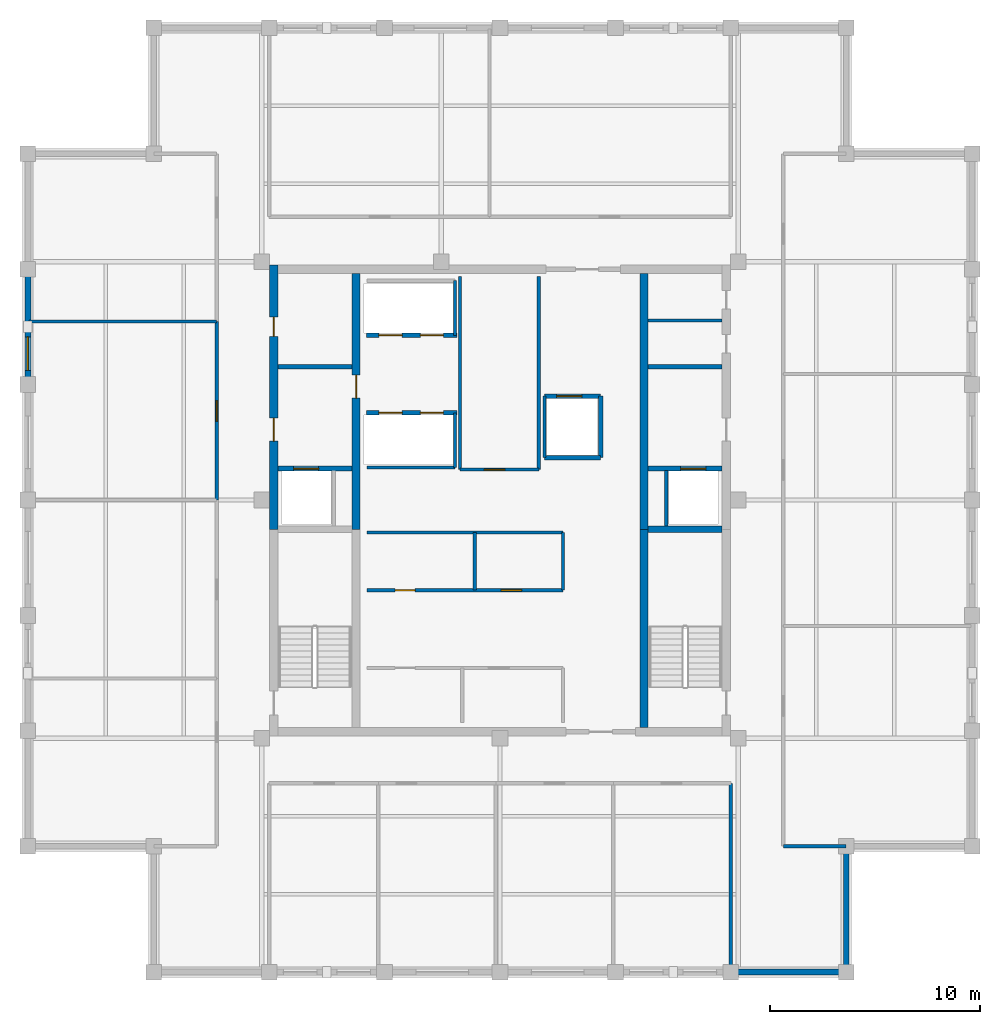
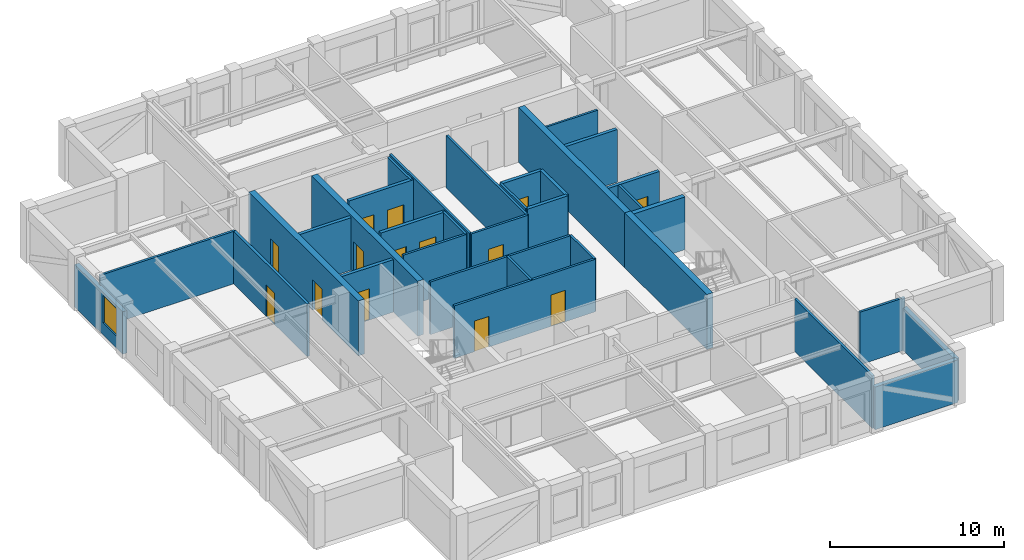
# One storey, part 3 of 6: 34 walls, 14 doors, 1 window, 15 openings.
"""IFC4 building model written with IfcOpenShell, lengths in metres."""

from ifc_helpers import new_model, si_unit, direction, frame, frame_2d, origin, place, context, subcontext, project, spatial, rectangle, extrude, material, layer, layer_set, type_object, element, fill, save


model = new_model("IFC4")

# Units and contexts
model_context = context("Model", 3, precision=1e-05, world=origin(), true_north=direction((0.0, 1.0)))
body_context = subcontext(model_context, "Body", "Model", "MODEL_VIEW")
ifc_project = project(units=[si_unit("LENGTHUNIT", "METRE"), si_unit("AREAUNIT", "SQUARE_METRE"), si_unit("VOLUMEUNIT", "CUBIC_METRE"), si_unit("PLANEANGLEUNIT", "RADIAN"), si_unit("MASSUNIT", "GRAM", prefix="KILO")], contexts=[model_context])

# Site, building, storey
site_placement = place(None, origin())
site = spatial("IfcSite", under=ifc_project, at=site_placement, CompositionType="ELEMENT")
building_placement = place(site_placement, origin())
building = spatial("IfcBuilding", under=site, at=building_placement, Name="Nhamokura Convention Tower", CompositionType="ELEMENT")
storey_placement = place(building_placement, frame((0.0, 0.0, 266.0)))
storey = spatial("IfcBuildingStorey", under=building, at=storey_placement, Name="L65", CompositionType="ELEMENT", Elevation=266.0)

# Walls
ifc_material_1 = material(Name="Moisture-resistant tile-backer partition", Category="masonry")
ifc_layer_1 = layer(ifc_material_1, 0.139892578125)
ifc_layer_set_1 = layer_set([ifc_layer_1], Name="BathroomWetWall_140")
wall_type_1 = type_object("IfcWallType", Name="BathroomWetWall_140", PredefinedType="STANDARD", material=ifc_layer_set_1)
wall_1_placement = place(storey_placement, frame((39.06005859375, 40.550048828125, 0.0), z_axis=(0.0, 0.0, 1.0), x_axis=(1.0, 0.0, 0.0)))
element("IfcWall", 1, at=wall_1_placement, inside=storey, type_object=wall_type_1, Name="L65 Wall INT-L65-CWNE", PredefinedType="STANDARD", context=body_context, shape_type="SweptSolid", body=[
    extrude(rectangle(XDim=3.530029296875, YDim=0.139892578125, at=frame_2d((1.76513671875, 0.0))), origin(), (0.0, 0.0, 1.0), 3.68505859375),
])
ifc_material_2 = material(Name="Bronze-pigmented precast concrete C45/55", Category="concrete")
ifc_layer_2 = layer(ifc_material_2, 0.280029296875)
ifc_layer_set_2 = layer_set([ifc_layer_2], Name="BronzePrecastSpandrel_280")
wall_type_2 = type_object("IfcWallType", Name="BronzePrecastSpandrel_280", PredefinedType="USERDEFINED", material=ifc_layer_set_2)
wall_2_placement = place(storey_placement, frame((48.5, 9.5, 0.0), z_axis=(0.0, 0.0, 1.0), x_axis=(-1.0, 0.0, 0.0)))
element("IfcWall", 2, at=wall_2_placement, inside=storey, type_object=wall_type_2, Name="L65 Braced-Bay Precast Wall SOUTH 5", ObjectType="SPANDREL_WALL", PredefinedType="USERDEFINED", context=body_context, shape_type="SweptSolid", body=[
    extrude(rectangle(XDim=5.5, YDim=0.280029296875, at=frame_2d((2.75, 0.0))), origin(), (0.0, 0.0, 1.0), 2.985107421875),
])

# Wall, opening, window
wall_3_placement = place(storey_placement, frame((9.5, 37.5, 0.0), z_axis=(0.0, 0.0, 1.0), x_axis=(0.0, 1.0, 0.0)))
wall_3 = element("IfcWall", 3, at=wall_3_placement, inside=storey, type_object=wall_type_2, Name="L65 Masonry-Frame Wall WEST 4", ObjectType="SPANDREL_WALL", PredefinedType="USERDEFINED", context=body_context, shape_type="SweptSolid", body=[
    extrude(rectangle(XDim=5.5, YDim=0.280029296875, at=frame_2d((2.75, 0.0))), origin(), (0.0, 0.0, 1.0), 2.985107421875),
])
opening_1_placement = place(wall_3_placement, frame((0.675048828125, 0.0, 0.85009765625)))
opening_1 = element("IfcOpeningElement", 4, at=opening_1_placement, cuts=wall_3, Name="Opening W-11", PredefinedType="OPENING", context=body_context, shape_type="SweptSolid", body=[
    extrude(rectangle(XDim=1.60009765625, YDim=1.93505859375, at=frame_2d((0.800048828125, 0.967529296875))), frame((0.0, 0.14990234375, 0.0), z_axis=(0.0, -1.0, 0.0), x_axis=(1.0, 0.0, 0.0)), (0.0, 0.0, 1.0), 0.300048828125),
])
ifc_material_3 = material(Name="Solar-control bronze low-E double glass", Category="glass")
window_type = type_object("IfcWindowType", Name="NotchCornerWindow_1600", PartitioningType="SINGLE_PANEL", PredefinedType="WINDOW", material=ifc_material_3)
window_placement = place(opening_1_placement, origin())
window = element("IfcWindow", 5, at=window_placement, inside=storey, type_object=window_type, Name="L65 Facade Window WEST 4-1", OverallHeight=1.93505859375, OverallWidth=1.60009765625, PartitioningType="SINGLE_PANEL", PredefinedType="WINDOW", context=body_context, shape_type="SweptSolid", body=[
    extrude(rectangle(XDim=1.60009765625, YDim=1.93505859375, at=frame_2d((0.800048828125, 0.967529296875))), frame((0.0, 0.030029296875, 0.0), z_axis=(0.0, -1.0, 0.0), x_axis=(1.0, 0.0, 0.0)), (0.0, 0.0, 1.0), 0.06005859375),
])
fill(opening_1, window)

# Wall
wall_4_placement = place(storey_placement, frame((48.5, 15.5, 0.0), z_axis=(0.0, 0.0, 1.0), x_axis=(0.0, -1.0, 0.0)))
element("IfcWall", 6, at=wall_4_placement, inside=storey, type_object=wall_type_2, Name="L65 Notched Corner Wall SE1", ObjectType="SPANDREL_WALL", PredefinedType="USERDEFINED", context=body_context, shape_type="SweptSolid", body=[
    extrude(rectangle(XDim=6.0, YDim=0.280029296875, at=frame_2d((3.0, 0.0))), origin(), (0.0, 0.0, 1.0), 2.985107421875),
])

# Wall, openings, doors
ifc_material_4 = material(Name="Concrete C50/60", Category="concrete")
ifc_layer_3 = layer(ifc_material_4, 0.39990234375)
ifc_layer_set_3 = layer_set([ifc_layer_3], Name="CoreShearWall_400")
wall_type_3 = type_object("IfcWallType", Name="CoreShearWall_400", PredefinedType="SHEAR", material=ifc_layer_set_3)
wall_5_placement = place(storey_placement, frame((21.2099609375, 30.60009765625, 0.0), z_axis=(0.0, 0.0, 1.0), x_axis=(0.0, 1.0, 0.0)))
wall_5 = element("IfcWall", 7, at=wall_5_placement, inside=storey, type_object=wall_type_3, Name="L65 Core Shear Wall CW-WN", PredefinedType="SHEAR", context=body_context, shape_type="SweptSolid", body=[
    extrude(rectangle(XDim=12.599853515625, YDim=0.39990234375, at=frame_2d((6.2998046875, 0.0))), origin(), (0.0, 0.0, 1.0), 3.85009765625),
])
opening_2_placement = place(wall_5_placement, frame((4.199951171875, 0.0, 0.0)))
opening_2 = element("IfcOpeningElement", 8, at=opening_2_placement, cuts=wall_5, Name="Opening D-05", PredefinedType="OPENING", context=body_context, shape_type="SweptSolid", body=[
    extrude(rectangle(XDim=1.10009765625, YDim=2.14990234375, at=frame_2d((0.550048828125, 1.074951171875))), frame((0.0, 0.2099609375, 0.0), z_axis=(0.0, -1.0, 0.0), x_axis=(1.0, 0.0, 0.0)), (0.0, 0.0, 1.0), 0.419921875),
])
opening_3_placement = place(wall_5_placement, frame((9.199951171875, 0.0, 0.0)))
opening_3 = element("IfcOpeningElement", 9, at=opening_3_placement, cuts=wall_5, Name="Opening D-10", PredefinedType="OPENING", context=body_context, shape_type="SweptSolid", body=[
    extrude(rectangle(XDim=0.919921875, YDim=2.10009765625, at=frame_2d((0.4599609375, 1.050048828125))), frame((0.0, 0.2099609375, 0.0), z_axis=(0.0, -1.0, 0.0), x_axis=(1.0, 0.0, 0.0)), (0.0, 0.0, 1.0), 0.419921875),
])
ifc_material_5 = material(Name="Solid oak hardwood", Category="wood")
door_type_1 = type_object("IfcDoorType", Name="AccessibleWCDoor_920", OperationType="NOTDEFINED", PredefinedType="DOOR", material=ifc_material_5)
door_1_placement = place(opening_3_placement, origin())
door_1 = element("IfcDoor", 10, at=door_1_placement, inside=storey, type_object=door_type_1, Name="L65 Core Door INT-L65-D-AWC", OperationType="SINGLE_SWING_LEFT", OverallHeight=2.10009765625, OverallWidth=0.919921875, PredefinedType="DOOR", context=body_context, shape_type="SweptSolid", body=[
    extrude(rectangle(XDim=0.919921875, YDim=2.10009765625, at=frame_2d((0.4599609375, 1.050048828125))), frame((0.0, 0.02490234375, 0.0), z_axis=(0.0, -1.0, 0.0), x_axis=(1.0, 0.0, 0.0)), (0.0, 0.0, 1.0), 0.050048828125),
])
fill(opening_3, door_1)
ifc_material_6 = material(Name="Fire-rated steel door", Category="steel")
door_type_2 = type_object("IfcDoorType", Name="FireLobbyDoor_1100", OperationType="NOTDEFINED", PredefinedType="DOOR", material=ifc_material_6)
door_2_placement = place(opening_2_placement, origin())
door_2 = element("IfcDoor", 11, at=door_2_placement, inside=storey, type_object=door_type_2, Name="L65 Core Door INT-L65-D-FFLW", OperationType="SINGLE_SWING_RIGHT", OverallHeight=2.14990234375, OverallWidth=1.10009765625, PredefinedType="DOOR", context=body_context, shape_type="SweptSolid", body=[
    extrude(rectangle(XDim=1.10009765625, YDim=2.14990234375, at=frame_2d((0.550048828125, 1.074951171875))), frame((0.0, 0.02490234375, 0.0), z_axis=(0.0, -1.0, 0.0), x_axis=(1.0, 0.0, 0.0)), (0.0, 0.0, 1.0), 0.050048828125),
])
fill(opening_2, door_2)

# Wall, opening, door
wall_6_placement = place(storey_placement, frame((25.139892578125, 30.60009765625, 0.0), z_axis=(0.0, 0.0, 1.0), x_axis=(0.0, 1.0, 0.0)))
wall_6 = element("IfcWall", 12, at=wall_6_placement, inside=storey, type_object=wall_type_3, Name="L65 Core Shear Wall CW-IWN", PredefinedType="SHEAR", context=body_context, shape_type="SweptSolid", body=[
    extrude(rectangle(XDim=12.199951171875, YDim=0.39990234375, at=frame_2d((6.10009765625, 0.0))), origin(), (0.0, 0.0, 1.0), 3.85009765625),
])
opening_4_placement = place(wall_6_placement, frame((6.25, 0.0, 0.0)))
opening_4 = element("IfcOpeningElement", 13, at=opening_4_placement, cuts=wall_6, Name="Opening D-05", PredefinedType="OPENING", context=body_context, shape_type="SweptSolid", body=[
    extrude(rectangle(XDim=1.10009765625, YDim=2.14990234375, at=frame_2d((0.550048828125, 1.074951171875))), frame((0.0, 0.2099609375, 0.0), z_axis=(0.0, -1.0, 0.0), x_axis=(1.0, 0.0, 0.0)), (0.0, 0.0, 1.0), 0.419921875),
])
door_3_placement = place(opening_4_placement, origin())
door_3 = element("IfcDoor", 14, at=door_3_placement, inside=storey, type_object=door_type_2, Name="L65 Core Door INT-L65-D-B3LOB", OperationType="SINGLE_SWING_LEFT", OverallHeight=2.14990234375, OverallWidth=1.10009765625, PredefinedType="DOOR", context=body_context, shape_type="SweptSolid", body=[
    extrude(rectangle(XDim=1.10009765625, YDim=2.14990234375, at=frame_2d((0.550048828125, 1.074951171875))), frame((0.0, 0.02490234375, 0.0), z_axis=(0.0, -1.0, 0.0), x_axis=(1.0, 0.0, 0.0)), (0.0, 0.0, 1.0), 0.050048828125),
])
fill(opening_4, door_3)

# Walls
wall_7_placement = place(storey_placement, frame((38.860107421875, 21.14990234375, 0.0), z_axis=(0.0, 0.0, 1.0), x_axis=(0.0, 1.0, 0.0)))
element("IfcWall", 15, at=wall_7_placement, inside=storey, type_object=wall_type_3, Name="L65 Core Shear Wall CW-IES", PredefinedType="SHEAR", context=body_context, shape_type="SweptSolid", body=[
    extrude(rectangle(XDim=9.4501953125, YDim=0.39990234375, at=frame_2d((4.72509765625, 0.0))), origin(), (0.0, 0.0, 1.0), 3.85009765625),
])
wall_8_placement = place(storey_placement, frame((38.860107421875, 30.60009765625, 0.0), z_axis=(0.0, 0.0, 1.0), x_axis=(0.0, 1.0, 0.0)))
element("IfcWall", 16, at=wall_8_placement, inside=storey, type_object=wall_type_3, Name="L65 Core Shear Wall CW-IEN", PredefinedType="SHEAR", context=body_context, shape_type="SweptSolid", body=[
    extrude(rectangle(XDim=12.199951171875, YDim=0.39990234375, at=frame_2d((6.10009765625, 0.0))), origin(), (0.0, 0.0, 1.0), 3.85009765625),
])

# Wall, opening, door
ifc_material_7 = material(Name="Fire-rated gypsum and masonry partition", Category="masonry")
ifc_layer_4 = layer(ifc_material_7, 0.179931640625)
ifc_layer_set_4 = layer_set([ifc_layer_4], Name="CorridorRatedWall_180")
wall_type_4 = type_object("IfcWallType", Name="CorridorRatedWall_180", PredefinedType="STANDARD", material=ifc_layer_set_4)
wall_9_placement = place(storey_placement, frame((18.5, 32.0, 0.0), z_axis=(0.0, 0.0, 1.0), x_axis=(0.0, 1.0, 0.0)))
wall_9 = element("IfcWall", 17, at=wall_9_placement, inside=storey, type_object=wall_type_4, Name="L65 Wall INT-L65-CW-W02", PredefinedType="STANDARD", context=body_context, shape_type="SweptSolid", body=[
    extrude(rectangle(XDim=8.5, YDim=0.179931640625, at=frame_2d((4.25, 0.0))), origin(), (0.0, 0.0, 1.0), 3.68505859375),
])
opening_5_placement = place(wall_9_placement, frame((3.75, 0.0, 0.0)))
opening_5 = element("IfcOpeningElement", 18, at=opening_5_placement, cuts=wall_9, Name="Opening D-08", PredefinedType="OPENING", context=body_context, shape_type="SweptSolid", body=[
    extrude(rectangle(XDim=0.97998046875, YDim=2.199951171875, at=frame_2d((0.489990234375, 1.10009765625))), frame((0.0, 0.099853515625, 0.0), z_axis=(0.0, -1.0, 0.0), x_axis=(1.0, 0.0, 0.0)), (0.0, 0.0, 1.0), 0.199951171875),
])
ifc_material_8 = material(Name="Solid oak hardwood", Category="wood")
door_type_3 = type_object("IfcDoorType", Name="OfficeEntryDoor_980", OperationType="NOTDEFINED", PredefinedType="DOOR", material=ifc_material_8)
door_4_placement = place(opening_5_placement, origin())
door_4 = element("IfcDoor", 19, at=door_4_placement, inside=storey, type_object=door_type_3, Name="L65 Boardroom W03 Door", OperationType="SINGLE_SWING_LEFT", OverallHeight=2.199951171875, OverallWidth=0.97998046875, PredefinedType="DOOR", context=body_context, shape_type="SweptSolid", body=[
    extrude(rectangle(XDim=0.97998046875, YDim=2.199951171875, at=frame_2d((0.489990234375, 1.10009765625))), frame((0.0, 0.02490234375, 0.0), z_axis=(0.0, -1.0, 0.0), x_axis=(1.0, 0.0, 0.0)), (0.0, 0.0, 1.0), 0.050048828125),
])
fill(opening_5, door_4)

ifc_material_9 = material(Name="Autoclaved concrete blockwork", Category="masonry")
ifc_layer_5 = layer(ifc_material_9, 0.219970703125)
ifc_layer_set_5 = layer_set([ifc_layer_5], Name="FireLobbyWall_220")
wall_type_5 = type_object("IfcWallType", Name="FireLobbyWall_220", PredefinedType="STANDARD", material=ifc_layer_set_5)
wall_10_placement = place(storey_placement, frame((21.409912109375, 33.5, 0.0), z_axis=(0.0, 0.0, 1.0), x_axis=(1.0, 0.0, 0.0)))
wall_10 = element("IfcWall", 20, at=wall_10_placement, inside=storey, type_object=wall_type_5, Name="L65 Wall INT-L65-FFW-S", PredefinedType="STANDARD", context=body_context, shape_type="SweptSolid", body=[
    extrude(rectangle(XDim=3.530029296875, YDim=0.219970703125, at=frame_2d((1.76513671875, 0.0))), origin(), (0.0, 0.0, 1.0), 3.68505859375),
])
opening_6_placement = place(wall_10_placement, frame((0.75, 0.0, 0.0)))
opening_6 = element("IfcOpeningElement", 21, at=opening_6_placement, cuts=wall_10, Name="Opening LD-02", PredefinedType="OPENING", context=body_context, shape_type="SweptSolid", body=[
    extrude(rectangle(XDim=1.199951171875, YDim=2.199951171875, at=frame_2d((0.60009765625, 1.10009765625))), frame((0.0, 0.119873046875, 0.0), z_axis=(0.0, -1.0, 0.0), x_axis=(1.0, 0.0, 0.0)), (0.0, 0.0, 1.0), 0.239990234375),
])
ifc_material_10 = material(Name="Anodised bronze stainless steel", Category="steel")
door_type_4 = type_object("IfcDoorType", Name="LiftLandingDoor_FireService", OperationType="DOUBLE_DOOR_SLIDING", PredefinedType="DOOR", material=ifc_material_10)
door_5_placement = place(opening_6_placement, origin())
door_5 = element("IfcDoor", 22, at=door_5_placement, inside=storey, type_object=door_type_4, Name="L65 Firefighting Lift LF-01 Door", OperationType="DOUBLE_DOOR_SLIDING", OverallHeight=2.199951171875, OverallWidth=1.199951171875, PredefinedType="DOOR", context=body_context, shape_type="SweptSolid", body=[
    extrude(rectangle(XDim=1.199951171875, YDim=2.199951171875, at=frame_2d((0.60009765625, 1.10009765625))), frame((0.0, 0.02490234375, 0.0), z_axis=(0.0, -1.0, 0.0), x_axis=(1.0, 0.0, 0.0)), (0.0, 0.0, 1.0), 0.050048828125),
])
fill(opening_6, door_5)

wall_11_placement = place(storey_placement, frame((39.06005859375, 33.5, 0.0), z_axis=(0.0, 0.0, 1.0), x_axis=(1.0, 0.0, 0.0)))
wall_11 = element("IfcWall", 23, at=wall_11_placement, inside=storey, type_object=wall_type_5, Name="L65 Wall INT-L65-FFE-S", PredefinedType="STANDARD", context=body_context, shape_type="SweptSolid", body=[
    extrude(rectangle(XDim=3.530029296875, YDim=0.219970703125, at=frame_2d((1.76513671875, 0.0))), origin(), (0.0, 0.0, 1.0), 3.68505859375),
])
opening_7_placement = place(wall_11_placement, frame((1.550048828125, 0.0, 0.0)))
opening_7 = element("IfcOpeningElement", 24, at=opening_7_placement, cuts=wall_11, Name="Opening LD-02", PredefinedType="OPENING", context=body_context, shape_type="SweptSolid", body=[
    extrude(rectangle(XDim=1.199951171875, YDim=2.199951171875, at=frame_2d((0.60009765625, 1.10009765625))), frame((0.0, 0.119873046875, 0.0), z_axis=(0.0, -1.0, 0.0), x_axis=(1.0, 0.0, 0.0)), (0.0, 0.0, 1.0), 0.239990234375),
])
door_6_placement = place(opening_7_placement, origin())
door_6 = element("IfcDoor", 25, at=door_6_placement, inside=storey, type_object=door_type_4, Name="L65 Firefighting Lift LF-02 Door", OperationType="DOUBLE_DOOR_SLIDING", OverallHeight=2.199951171875, OverallWidth=1.199951171875, PredefinedType="DOOR", context=body_context, shape_type="SweptSolid", body=[
    extrude(rectangle(XDim=1.199951171875, YDim=2.199951171875, at=frame_2d((0.60009765625, 1.10009765625))), frame((0.0, 0.02490234375, 0.0), z_axis=(0.0, -1.0, 0.0), x_axis=(1.0, 0.0, 0.0)), (0.0, 0.0, 1.0), 0.050048828125),
])
fill(opening_7, door_6)

# Walls
for number, where, z_axis, x_axis, name in (
    (26, (21.409912109375, 38.35009765625, 0.0), (0.0, 0.0, 1.0), (1.0, 0.0, 0.0), "L65 Wall INT-L65-FFW-N"),
    (27, (39.06005859375, 38.35009765625, 0.0), (0.0, 0.0, 1.0), (1.0, 0.0, 0.0), "L65 Wall INT-L65-FFE-N"),
):
    element("IfcWall", number, at=place(storey_placement, frame(where, z_axis=z_axis, x_axis=x_axis)), inside=storey, type_object=wall_type_5, Name=name, PredefinedType="STANDARD", context=body_context, shape_type="SweptSolid", body=[
        extrude(rectangle(XDim=3.530029296875, YDim=0.219970703125, at=frame_2d((1.76513671875, 0.0))), origin(), (0.0, 0.0, 1.0), 3.68505859375),
    ])

# Wall, openings, doors
wall_12_placement = place(storey_placement, frame((25.64990234375, 36.14990234375, 0.0), z_axis=(0.0, 0.0, 1.0), x_axis=(1.0, 0.0, 0.0)))
wall_12 = element("IfcWall", 28, at=wall_12_placement, inside=storey, type_object=wall_type_5, Name="L65 Wall INT-L65-B3S", PredefinedType="STANDARD", context=body_context, shape_type="SweptSolid", body=[
    extrude(rectangle(XDim=4.300048828125, YDim=0.219970703125, at=frame_2d((2.14990234375, 0.0))), origin(), (0.0, 0.0, 1.0), 3.68505859375),
])
opening_8_placement = place(wall_12_placement, frame((0.580078125, 0.0, 0.0)))
opening_8 = element("IfcOpeningElement", 29, at=opening_8_placement, cuts=wall_12, Name="Opening LD-01", PredefinedType="OPENING", context=body_context, shape_type="SweptSolid", body=[
    extrude(rectangle(XDim=1.10009765625, YDim=2.14990234375, at=frame_2d((0.550048828125, 1.074951171875))), frame((0.0, 0.119873046875, 0.0), z_axis=(0.0, -1.0, 0.0), x_axis=(1.0, 0.0, 0.0)), (0.0, 0.0, 1.0), 0.239990234375),
])
opening_9_placement = place(wall_12_placement, frame((2.550048828125, 0.0, 0.0)))
opening_9 = element("IfcOpeningElement", 30, at=opening_9_placement, cuts=wall_12, Name="Opening LD-01", PredefinedType="OPENING", context=body_context, shape_type="SweptSolid", body=[
    extrude(rectangle(XDim=1.10009765625, YDim=2.14990234375, at=frame_2d((0.550048828125, 1.074951171875))), frame((0.0, 0.119873046875, 0.0), z_axis=(0.0, -1.0, 0.0), x_axis=(1.0, 0.0, 0.0)), (0.0, 0.0, 1.0), 0.239990234375),
])
ifc_material_11 = material(Name="Anodised bronze stainless steel", Category="steel")
door_type_5 = type_object("IfcDoorType", Name="LiftLandingDoor_Passenger", OperationType="DOUBLE_DOOR_SLIDING", PredefinedType="DOOR", material=ifc_material_11)
door_7_placement = place(opening_8_placement, origin())
door_7 = element("IfcDoor", 31, at=door_7_placement, inside=storey, type_object=door_type_5, Name="L65 Lift LP-09 Door", OperationType="DOUBLE_DOOR_SLIDING", OverallHeight=2.14990234375, OverallWidth=1.10009765625, PredefinedType="DOOR", context=body_context, shape_type="SweptSolid", body=[
    extrude(rectangle(XDim=1.10009765625, YDim=2.14990234375, at=frame_2d((0.550048828125, 1.074951171875))), frame((0.0, 0.02490234375, 0.0), z_axis=(0.0, -1.0, 0.0), x_axis=(1.0, 0.0, 0.0)), (0.0, 0.0, 1.0), 0.050048828125),
])
fill(opening_8, door_7)
door_8_placement = place(opening_9_placement, origin())
door_8 = element("IfcDoor", 32, at=door_8_placement, inside=storey, type_object=door_type_5, Name="L65 Lift LP-10 Door", OperationType="DOUBLE_DOOR_SLIDING", OverallHeight=2.14990234375, OverallWidth=1.10009765625, PredefinedType="DOOR", context=body_context, shape_type="SweptSolid", body=[
    extrude(rectangle(XDim=1.10009765625, YDim=2.14990234375, at=frame_2d((0.550048828125, 1.074951171875))), frame((0.0, 0.02490234375, 0.0), z_axis=(0.0, -1.0, 0.0), x_axis=(1.0, 0.0, 0.0)), (0.0, 0.0, 1.0), 0.050048828125),
])
fill(opening_9, door_8)

wall_13_placement = place(storey_placement, frame((25.64990234375, 39.85009765625, 0.0), z_axis=(0.0, 0.0, 1.0), x_axis=(1.0, 0.0, 0.0)))
wall_13 = element("IfcWall", 33, at=wall_13_placement, inside=storey, type_object=wall_type_5, Name="L65 Wall INT-L65-B3N", PredefinedType="STANDARD", context=body_context, shape_type="SweptSolid", body=[
    extrude(rectangle(XDim=4.300048828125, YDim=0.219970703125, at=frame_2d((2.14990234375, 0.0))), origin(), (0.0, 0.0, 1.0), 3.68505859375),
])
opening_10_placement = place(wall_13_placement, frame((0.580078125, 0.0, 0.0)))
opening_10 = element("IfcOpeningElement", 34, at=opening_10_placement, cuts=wall_13, Name="Opening LD-01", PredefinedType="OPENING", context=body_context, shape_type="SweptSolid", body=[
    extrude(rectangle(XDim=1.10009765625, YDim=2.14990234375, at=frame_2d((0.550048828125, 1.074951171875))), frame((0.0, 0.119873046875, 0.0), z_axis=(0.0, -1.0, 0.0), x_axis=(1.0, 0.0, 0.0)), (0.0, 0.0, 1.0), 0.239990234375),
])
opening_11_placement = place(wall_13_placement, frame((2.550048828125, 0.0, 0.0)))
opening_11 = element("IfcOpeningElement", 35, at=opening_11_placement, cuts=wall_13, Name="Opening LD-01", PredefinedType="OPENING", context=body_context, shape_type="SweptSolid", body=[
    extrude(rectangle(XDim=1.10009765625, YDim=2.14990234375, at=frame_2d((0.550048828125, 1.074951171875))), frame((0.0, 0.119873046875, 0.0), z_axis=(0.0, -1.0, 0.0), x_axis=(1.0, 0.0, 0.0)), (0.0, 0.0, 1.0), 0.239990234375),
])
door_9_placement = place(opening_10_placement, origin())
door_9 = element("IfcDoor", 36, at=door_9_placement, inside=storey, type_object=door_type_5, Name="L65 Lift LP-11 Door", OperationType="DOUBLE_DOOR_SLIDING", OverallHeight=2.14990234375, OverallWidth=1.10009765625, PredefinedType="DOOR", context=body_context, shape_type="SweptSolid", body=[
    extrude(rectangle(XDim=1.10009765625, YDim=2.14990234375, at=frame_2d((0.550048828125, 1.074951171875))), frame((0.0, 0.02490234375, 0.0), z_axis=(0.0, -1.0, 0.0), x_axis=(1.0, 0.0, 0.0)), (0.0, 0.0, 1.0), 0.050048828125),
])
fill(opening_10, door_9)
door_10_placement = place(opening_11_placement, origin())
door_10 = element("IfcDoor", 37, at=door_10_placement, inside=storey, type_object=door_type_5, Name="L65 Lift LP-12 Door", OperationType="DOUBLE_DOOR_SLIDING", OverallHeight=2.14990234375, OverallWidth=1.10009765625, PredefinedType="DOOR", context=body_context, shape_type="SweptSolid", body=[
    extrude(rectangle(XDim=1.10009765625, YDim=2.14990234375, at=frame_2d((0.550048828125, 1.074951171875))), frame((0.0, 0.02490234375, 0.0), z_axis=(0.0, -1.0, 0.0), x_axis=(1.0, 0.0, 0.0)), (0.0, 0.0, 1.0), 0.050048828125),
])
fill(opening_11, door_10)

# Wall, opening, door
wall_14_placement = place(storey_placement, frame((34.1201171875, 36.949951171875, 0.0), z_axis=(0.0, 0.0, 1.0), x_axis=(1.0, 0.0, 0.0)))
wall_14 = element("IfcWall", 38, at=wall_14_placement, inside=storey, type_object=wall_type_5, Name="L65 Wall INT-L65-LSN", PredefinedType="STANDARD", context=body_context, shape_type="SweptSolid", body=[
    extrude(rectangle(XDim=2.679931640625, YDim=0.219970703125, at=frame_2d((1.33984375, 0.0))), origin(), (0.0, 0.0, 1.0), 3.68505859375),
])
opening_12_placement = place(wall_14_placement, frame((0.580078125, 0.0, 0.0)))
opening_12 = element("IfcOpeningElement", 39, at=opening_12_placement, cuts=wall_14, Name="Opening LD-02", PredefinedType="OPENING", context=body_context, shape_type="SweptSolid", body=[
    extrude(rectangle(XDim=1.199951171875, YDim=2.199951171875, at=frame_2d((0.60009765625, 1.10009765625))), frame((0.0, 0.119873046875, 0.0), z_axis=(0.0, -1.0, 0.0), x_axis=(1.0, 0.0, 0.0)), (0.0, 0.0, 1.0), 0.239990234375),
])
door_11_placement = place(opening_12_placement, origin())
door_11 = element("IfcDoor", 40, at=door_11_placement, inside=storey, type_object=door_type_4, Name="L65 Service Lift LS-01 Door", OperationType="DOUBLE_DOOR_SLIDING", OverallHeight=2.199951171875, OverallWidth=1.199951171875, PredefinedType="DOOR", context=body_context, shape_type="SweptSolid", body=[
    extrude(rectangle(XDim=1.199951171875, YDim=2.199951171875, at=frame_2d((0.60009765625, 1.10009765625))), frame((0.0, 0.02490234375, 0.0), z_axis=(0.0, -1.0, 0.0), x_axis=(1.0, 0.0, 0.0)), (0.0, 0.0, 1.0), 0.050048828125),
])
fill(opening_12, door_11)

# Walls
wall_15_placement = place(storey_placement, frame((36.800048828125, 34.02001953125, 0.0), z_axis=(0.0, 0.0, 1.0), x_axis=(0.0, 1.0, 0.0)))
element("IfcWall", 41, at=wall_15_placement, inside=storey, type_object=wall_type_5, Name="L65 Wall INT-L65-LSE", PredefinedType="STANDARD", context=body_context, shape_type="SweptSolid", body=[
    extrude(rectangle(XDim=2.929931640625, YDim=0.219970703125, at=frame_2d((1.46484375, 0.0))), origin(), (0.0, 0.0, 1.0), 3.68505859375),
])
wall_16_placement = place(storey_placement, frame((34.1201171875, 34.02001953125, 0.0), z_axis=(0.0, 0.0, 1.0), x_axis=(1.0, 0.0, 0.0)))
element("IfcWall", 42, at=wall_16_placement, inside=storey, type_object=wall_type_5, Name="L65 Wall INT-L65-LSS", PredefinedType="STANDARD", context=body_context, shape_type="SweptSolid", body=[
    extrude(rectangle(XDim=2.679931640625, YDim=0.219970703125, at=frame_2d((1.33984375, 0.0))), origin(), (0.0, 0.0, 1.0), 3.68505859375),
])
ifc_material_12 = material(Name="Acoustic gypsum stud partition", Category="masonry")
ifc_layer_6 = layer(ifc_material_12, 0.14990234375)
ifc_layer_set_6 = layer_set([ifc_layer_6], Name="InteriorPartition_150")
wall_type_6 = type_object("IfcWallType", Name="InteriorPartition_150", PredefinedType="STANDARD", material=ifc_layer_set_6)
wall_17_placement = place(storey_placement, frame((39.919921875, 30.75, 0.0), z_axis=(0.0, 0.0, 1.0), x_axis=(0.0, 1.0, 0.0)))
element("IfcWall", 43, at=wall_17_placement, inside=storey, type_object=wall_type_6, Name="L65 Wall INT-L65-FF2-W", PredefinedType="STANDARD", context=body_context, shape_type="SweptSolid", body=[
    extrude(rectangle(XDim=2.64990234375, YDim=0.14990234375, at=frame_2d((1.324951171875, 0.0))), origin(), (0.0, 0.0, 1.0), 3.68505859375),
])

# Wall, openings, doors
wall_18_placement = place(storey_placement, frame((25.64990234375, 27.699951171875, 0.0), z_axis=(0.0, 0.0, 1.0), x_axis=(1.0, 0.0, 0.0)))
wall_18 = element("IfcWall", 44, at=wall_18_placement, inside=storey, type_object=wall_type_6, Name="L65 Wall INT-L65-B2R-S", PredefinedType="STANDARD", context=body_context, shape_type="SweptSolid", body=[
    extrude(rectangle(XDim=9.35009765625, YDim=0.14990234375, at=frame_2d((4.675048828125, 0.0))), origin(), (0.0, 0.0, 1.0), 3.68505859375),
])
opening_13_placement = place(wall_18_placement, frame((1.35009765625, 0.0, 0.0)))
opening_13 = element("IfcOpeningElement", 45, at=opening_13_placement, cuts=wall_18, Name="Opening D-09", PredefinedType="OPENING", context=body_context, shape_type="SweptSolid", body=[
    extrude(rectangle(XDim=0.949951171875, YDim=2.14990234375, at=frame_2d((0.47509765625, 1.074951171875))), frame((0.0, 0.0849609375, 0.0), z_axis=(0.0, -1.0, 0.0), x_axis=(1.0, 0.0, 0.0)), (0.0, 0.0, 1.0), 0.169921875),
])
opening_14_placement = place(wall_18_placement, frame((6.39990234375, 0.0, 0.0)))
opening_14 = element("IfcOpeningElement", 46, at=opening_14_placement, cuts=wall_18, Name="Opening D-08", PredefinedType="OPENING", context=body_context, shape_type="SweptSolid", body=[
    extrude(rectangle(XDim=0.97998046875, YDim=2.199951171875, at=frame_2d((0.489990234375, 1.10009765625))), frame((0.0, 0.0849609375, 0.0), z_axis=(0.0, -1.0, 0.0), x_axis=(1.0, 0.0, 0.0)), (0.0, 0.0, 1.0), 0.169921875),
])
ifc_material_13 = material(Name="Solid oak hardwood", Category="wood")
door_type_6 = type_object("IfcDoorType", Name="MeetingRoomDoor_950", OperationType="NOTDEFINED", PredefinedType="DOOR", material=ifc_material_13)
door_12_placement = place(opening_13_placement, origin())
door_12 = element("IfcDoor", 47, at=door_12_placement, inside=storey, type_object=door_type_6, Name="L65 Caucus Suite Door", OperationType="SINGLE_SWING_RIGHT", OverallHeight=2.14990234375, OverallWidth=0.949951171875, PredefinedType="DOOR", context=body_context, shape_type="SweptSolid", body=[
    extrude(rectangle(XDim=0.949951171875, YDim=2.14990234375, at=frame_2d((0.47509765625, 1.074951171875))), frame((0.0, 0.02490234375, 0.0), z_axis=(0.0, -1.0, 0.0), x_axis=(1.0, 0.0, 0.0)), (0.0, 0.0, 1.0), 0.050048828125),
])
fill(opening_13, door_12)
door_13_placement = place(opening_14_placement, origin())
door_13 = element("IfcDoor", 48, at=door_13_placement, inside=storey, type_object=door_type_3, Name="L65 Summit Pantry Door", OperationType="SINGLE_SWING_LEFT", OverallHeight=2.199951171875, OverallWidth=0.97998046875, PredefinedType="DOOR", context=body_context, shape_type="SweptSolid", body=[
    extrude(rectangle(XDim=0.97998046875, YDim=2.199951171875, at=frame_2d((0.489990234375, 1.10009765625))), frame((0.0, 0.02490234375, 0.0), z_axis=(0.0, -1.0, 0.0), x_axis=(1.0, 0.0, 0.0)), (0.0, 0.0, 1.0), 0.050048828125),
])
fill(opening_14, door_13)

# Walls
wall_19_placement = place(storey_placement, frame((25.64990234375, 30.449951171875, 0.0), z_axis=(0.0, 0.0, 1.0), x_axis=(1.0, 0.0, 0.0)))
element("IfcWall", 49, at=wall_19_placement, inside=storey, type_object=wall_type_6, Name="L65 Wall INT-L65-B2R-N", PredefinedType="STANDARD", context=body_context, shape_type="SweptSolid", body=[
    extrude(rectangle(XDim=9.35009765625, YDim=0.14990234375, at=frame_2d((4.675048828125, 0.0))), origin(), (0.0, 0.0, 1.0), 3.68505859375),
])
for number, where, z_axis, x_axis, name in (
    (50, (30.800048828125, 27.699951171875, 0.0), (0.0, 0.0, 1.0), (0.0, 1.0, 0.0), "L65 Wall INT-L65-B2R-M"),
    (51, (35.0, 27.699951171875, 0.0), (0.0, 0.0, 1.0), (0.0, 1.0, 0.0), "L65 Wall INT-L65-B2R-E"),
):
    element("IfcWall", number, at=place(storey_placement, frame(where, z_axis=z_axis, x_axis=x_axis)), inside=storey, type_object=wall_type_6, Name=name, PredefinedType="STANDARD", context=body_context, shape_type="SweptSolid", body=[
        extrude(rectangle(XDim=2.75, YDim=0.14990234375, at=frame_2d((1.375, 0.0))), origin(), (0.0, 0.0, 1.0), 3.68505859375),
    ])
wall_20_placement = place(storey_placement, frame((25.64990234375, 33.550048828125, 0.0), z_axis=(0.0, 0.0, 1.0), x_axis=(1.0, 0.0, 0.0)))
element("IfcWall", 52, at=wall_20_placement, inside=storey, type_object=wall_type_6, Name="L65 Wall INT-L65-B3A-S", PredefinedType="STANDARD", context=body_context, shape_type="SweptSolid", body=[
    extrude(rectangle(XDim=4.2001953125, YDim=0.14990234375, at=frame_2d((2.10009765625, 0.0))), origin(), (0.0, 0.0, 1.0), 3.68505859375),
])
for number, where, z_axis, x_axis, name in (
    (53, (29.85009765625, 33.550048828125, 0.0), (0.0, 0.0, 1.0), (0.0, 1.0, 0.0), "L65 Wall INT-L65-B3A-E"),
    (54, (29.85009765625, 39.85009765625, 0.0), (0.0, 0.0, 1.0), (0.0, 1.0, 0.0), "L65 Wall INT-L65-B3B-E"),
):
    element("IfcWall", number, at=place(storey_placement, frame(where, z_axis=z_axis, x_axis=x_axis)), inside=storey, type_object=wall_type_6, Name=name, PredefinedType="STANDARD", context=body_context, shape_type="SweptSolid", body=[
        extrude(rectangle(XDim=2.599853515625, YDim=0.14990234375, at=frame_2d((1.2998046875, 0.0))), origin(), (0.0, 0.0, 1.0), 3.68505859375),
    ])
for number, where, z_axis, x_axis, name in (
    (55, (30.10009765625, 33.449951171875, 0.0), (0.0, 0.0, 1.0), (0.0, 1.0, 0.0), "L65 Wall INT-L65-ST03W"),
    (56, (33.85009765625, 33.449951171875, 0.0), (0.0, 0.0, 1.0), (0.0, 1.0, 0.0), "L65 Wall INT-L65-ST03E"),
):
    element("IfcWall", number, at=place(storey_placement, frame(where, z_axis=z_axis, x_axis=x_axis)), inside=storey, type_object=wall_type_6, Name=name, PredefinedType="STANDARD", context=body_context, shape_type="SweptSolid", body=[
        extrude(rectangle(XDim=9.199951171875, YDim=0.14990234375, at=frame_2d((4.60009765625, 0.0))), origin(), (0.0, 0.0, 1.0), 3.68505859375),
    ])

# Wall, opening, door
wall_21_placement = place(storey_placement, frame((30.10009765625, 33.449951171875, 0.0), z_axis=(0.0, 0.0, 1.0), x_axis=(1.0, 0.0, 0.0)))
wall_21 = element("IfcWall", 57, at=wall_21_placement, inside=storey, type_object=wall_type_6, Name="L65 Wall INT-L65-ST03S", PredefinedType="STANDARD", context=body_context, shape_type="SweptSolid", body=[
    extrude(rectangle(XDim=3.75, YDim=0.14990234375, at=frame_2d((1.875, 0.0))), origin(), (0.0, 0.0, 1.0), 3.68505859375),
])
opening_15_placement = place(wall_21_placement, frame((1.14990234375, 0.0, 0.0)))
opening_15 = element("IfcOpeningElement", 58, at=opening_15_placement, cuts=wall_21, Name="Opening D-08", PredefinedType="OPENING", context=body_context, shape_type="SweptSolid", body=[
    extrude(rectangle(XDim=0.97998046875, YDim=2.199951171875, at=frame_2d((0.489990234375, 1.10009765625))), frame((0.0, 0.0849609375, 0.0), z_axis=(0.0, -1.0, 0.0), x_axis=(1.0, 0.0, 0.0)), (0.0, 0.0, 1.0), 0.169921875),
])
door_14_placement = place(opening_15_placement, origin())
door_14 = element("IfcDoor", 59, at=door_14_placement, inside=storey, type_object=door_type_3, Name="L65 Wellness and Records Room Door", OperationType="SINGLE_SWING_RIGHT", OverallHeight=2.199951171875, OverallWidth=0.97998046875, PredefinedType="DOOR", context=body_context, shape_type="SweptSolid", body=[
    extrude(rectangle(XDim=0.97998046875, YDim=2.199951171875, at=frame_2d((0.489990234375, 1.10009765625))), frame((0.0, 0.02490234375, 0.0), z_axis=(0.0, -1.0, 0.0), x_axis=(1.0, 0.0, 0.0)), (0.0, 0.0, 1.0), 0.050048828125),
])
fill(opening_15, door_14)

# Walls
wall_22_placement = place(storey_placement, frame((34.1201171875, 34.02001953125, 0.0), z_axis=(0.0, 0.0, 1.0), x_axis=(0.0, 1.0, 0.0)))
element("IfcWall", 60, at=wall_22_placement, inside=storey, type_object=wall_type_6, Name="L65 Wall INT-L65-LSW", PredefinedType="STANDARD", context=body_context, shape_type="SweptSolid", body=[
    extrude(rectangle(XDim=2.929931640625, YDim=0.14990234375, at=frame_2d((1.46484375, 0.0))), origin(), (0.0, 0.0, 1.0), 3.68505859375),
])
for number, where, z_axis, x_axis, name in (
    (61, (43.0, 9.56005859375, 0.0), (0.0, 0.0, 1.0), (0.0, 1.0, 0.0), "L65 Wall INT-L65-RWR-S"),
    (62, (9.56005859375, 40.5, 0.0), (0.0, 0.0, 1.0), (1.0, 0.0, 0.0), "L65 Wall INT-L65-RW-W03"),
):
    element("IfcWall", number, at=place(storey_placement, frame(where, z_axis=z_axis, x_axis=x_axis)), inside=storey, type_object=wall_type_6, Name=name, PredefinedType="STANDARD", context=body_context, shape_type="SweptSolid", body=[
        extrude(rectangle(XDim=8.93994140625, YDim=0.14990234375, at=frame_2d((4.469970703125, 0.0))), origin(), (0.0, 0.0, 1.0), 3.68505859375),
    ])
wall_23_placement = place(storey_placement, frame((45.5, 15.5, 0.0), z_axis=(0.0, 0.0, 1.0), x_axis=(1.0, 0.0, 0.0)))
element("IfcWall", 63, at=wall_23_placement, inside=storey, type_object=wall_type_6, Name="L65 Wall INT-L65-VSTP-ES", PredefinedType="STANDARD", context=body_context, shape_type="SweptSolid", body=[
    extrude(rectangle(XDim=3.0, YDim=0.14990234375, at=frame_2d((1.5, 0.0))), origin(), (0.0, 0.0, 1.0), 3.68505859375),
])
ifc_material_14 = material(Name="Concrete C50/60", Category="concrete")
ifc_layer_7 = layer(ifc_material_14, 0.300048828125)
ifc_layer_set_7 = layer_set([ifc_layer_7], Name="ShaftEnclosureWall_300")
wall_type_7 = type_object("IfcWallType", Name="ShaftEnclosureWall_300", PredefinedType="SHEAR", material=ifc_layer_set_7)
wall_24_placement = place(storey_placement, frame((39.06005859375, 30.60009765625, 0.0), z_axis=(0.0, 0.0, 1.0), x_axis=(1.0, 0.0, 0.0)))
element("IfcWall", 64, at=wall_24_placement, inside=storey, type_object=wall_type_7, Name="L65 Wall INT-L65-ST02-N", PredefinedType="SHEAR", context=body_context, shape_type="SweptSolid", body=[
    extrude(rectangle(XDim=3.530029296875, YDim=0.300048828125, at=frame_2d((1.76513671875, 0.0))), origin(), (0.0, 0.0, 1.0), 3.68505859375),
])

save(model, "model.ifc")
